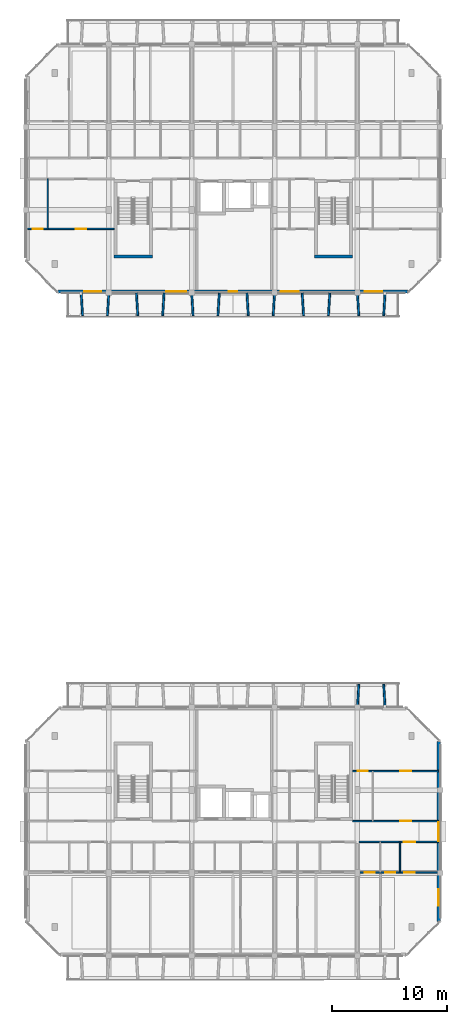
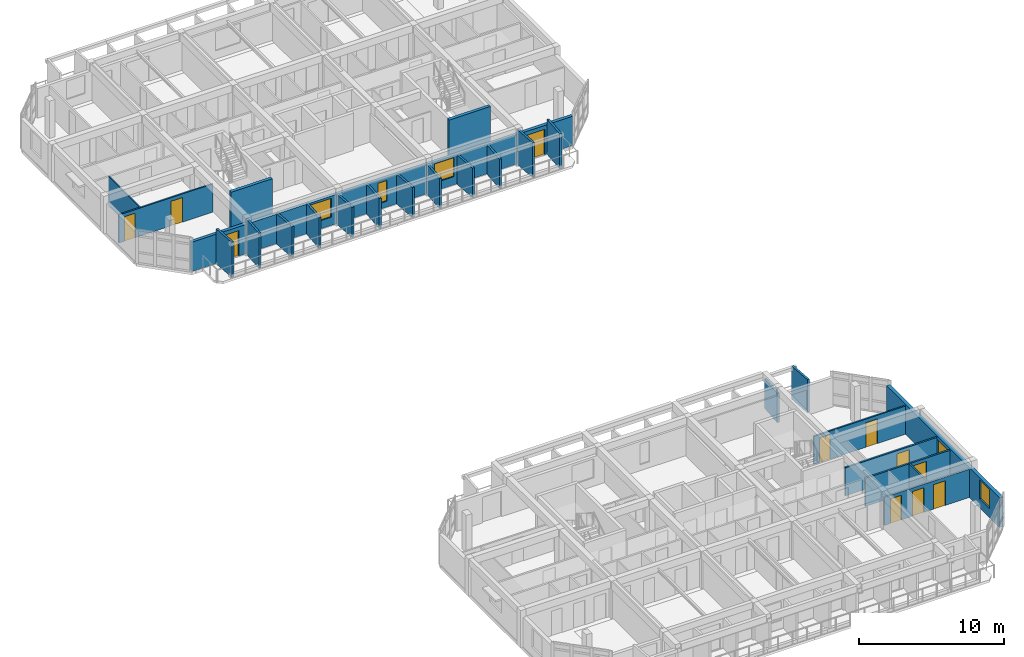
# One storey, part 11 of 22: 25 walls, 11 doors, 5 windows, 16 openings.
"""IFC4 building model written with IfcOpenShell, lengths in metres."""

from ifc_helpers import new_model, si_unit, direction, frame, frame_2d, origin, place, context, subcontext, project, spatial, rectangle, extrude, material, layer, layer_set, type_object, element, fill, save


model = new_model("IFC4")

# Units and contexts
model_context = context("Model", 3, precision=1e-05, world=origin(), true_north=direction((0.0, 1.0)))
body_context = subcontext(model_context, "Body", "Model", "MODEL_VIEW")
ifc_project = project(units=[si_unit("LENGTHUNIT", "METRE"), si_unit("AREAUNIT", "SQUARE_METRE"), si_unit("VOLUMEUNIT", "CUBIC_METRE"), si_unit("PLANEANGLEUNIT", "RADIAN"), si_unit("MASSUNIT", "GRAM", prefix="KILO")], contexts=[model_context])

# Site, building, storey
site_placement = place(None, origin())
site = spatial("IfcSite", under=ifc_project, at=site_placement, CompositionType="ELEMENT")
building_placement = place(site_placement, origin())
building = spatial("IfcBuilding", under=site, at=building_placement, Name="Ochrevale Crest", CompositionType="ELEMENT")
storey_placement = place(building_placement, frame((0.0, 0.0, 40.199951171875)))
storey = spatial("IfcBuildingStorey", under=building, at=storey_placement, Name="L12", CompositionType="ELEMENT", Elevation=40.199951171875)

# Wall, opening, door
ifc_material_1 = material(Name="Gypsum plasterboard", Category="gypsum")
ifc_layer_1 = layer(ifc_material_1, 0.139892578125)
ifc_layer_set_1 = layer_set([ifc_layer_1], Name="Gypsum plasterboard")
wall_type_1 = type_object("IfcWallType", Name="WL-COR-140", PredefinedType="PARTITIONING", material=ifc_layer_set_1)
wall_1_placement = place(storey_placement, frame((158.5400390625, 24.300048828125, 0.0), z_axis=(0.0, 0.0, 1.0), x_axis=(1.0, 0.0, 0.0)))
wall_1 = element("IfcWall", 1, at=wall_1_placement, inside=storey, type_object=wall_type_1, Name="Apartment C-L12-U5 corridor wall", PredefinedType="PARTITIONING", context=body_context, shape_type="SweptSolid", body=[
    extrude(rectangle(XDim=6.919921875, YDim=0.139892578125, at=frame_2d((3.4599609375, 0.0))), origin(), (0.0, 0.0, 1.0), 2.380126953125),
])
opening_1_placement = place(wall_1_placement, frame((3.89501953125, 0.0, 0.0)))
opening_1 = element("IfcOpeningElement", 2, at=opening_1_placement, cuts=wall_1, Name="Opening FD01", PredefinedType="OPENING", context=body_context, shape_type="SweptSolid", body=[
    extrude(rectangle(XDim=0.97998046875, YDim=2.10009765625, at=frame_2d((0.489990234375, 1.050048828125))), frame((0.0, 0.080078125, 0.0), z_axis=(0.0, -1.0, 0.0), x_axis=(1.0, 0.0, 0.0)), (0.0, 0.0, 1.0), 0.159912109375),
])
ifc_material_2 = material(Name="Solid-core FSC hardwood", Category="wood")
door_type_1 = type_object("IfcDoorType", Name="DR-APT-950", OperationType="NOTDEFINED", PredefinedType="DOOR", material=ifc_material_2)
door_1_placement = place(opening_1_placement, origin())
door_1 = element("IfcDoor", 3, at=door_1_placement, inside=storey, type_object=door_type_1, Name="Apartment C-L12-U5 entrance door", OperationType="SINGLE_SWING_LEFT", OverallHeight=2.10009765625, OverallWidth=0.97998046875, PredefinedType="DOOR", context=body_context, shape_type="SweptSolid", body=[
    extrude(rectangle(XDim=0.97998046875, YDim=2.10009765625, at=frame_2d((0.489990234375, 1.050048828125))), frame((0.0, 0.02490234375, 0.0), z_axis=(0.0, -1.0, 0.0), x_axis=(1.0, 0.0, 0.0)), (0.0, 0.0, 1.0), 0.050048828125),
])
fill(opening_1, door_1)

wall_2_placement = place(storey_placement, frame((157.989990234375, 26.10009765625, 0.0), z_axis=(0.0, 0.0, 1.0), x_axis=(1.0, 0.0, 0.0)))
wall_2 = element("IfcWall", 4, at=wall_2_placement, inside=storey, type_object=wall_type_1, Name="Suite C-L12-CE corridor wall", PredefinedType="PARTITIONING", context=body_context, shape_type="SweptSolid", body=[
    extrude(rectangle(XDim=7.469970703125, YDim=0.139892578125, at=frame_2d((3.73486328125, 0.0))), origin(), (0.0, 0.0, 1.0), 2.380126953125),
])
opening_2_placement = place(wall_2_placement, frame((4.1201171875, 0.0, 0.0)))
opening_2 = element("IfcOpeningElement", 5, at=opening_2_placement, cuts=wall_2, Name="Opening FD01", PredefinedType="OPENING", context=body_context, shape_type="SweptSolid", body=[
    extrude(rectangle(XDim=0.97998046875, YDim=2.10009765625, at=frame_2d((0.489990234375, 1.050048828125))), frame((0.0, 0.080078125, 0.0), z_axis=(0.0, -1.0, 0.0), x_axis=(1.0, 0.0, 0.0)), (0.0, 0.0, 1.0), 0.159912109375),
])
door_2_placement = place(opening_2_placement, origin())
door_2 = element("IfcDoor", 6, at=door_2_placement, inside=storey, type_object=door_type_1, Name="Suite C-L12-CE entrance door", OperationType="SINGLE_SWING_LEFT", OverallHeight=2.10009765625, OverallWidth=0.97998046875, PredefinedType="DOOR", context=body_context, shape_type="SweptSolid", body=[
    extrude(rectangle(XDim=0.97998046875, YDim=2.10009765625, at=frame_2d((0.489990234375, 1.050048828125))), frame((0.0, 0.02490234375, 0.0), z_axis=(0.0, -1.0, 0.0), x_axis=(1.0, 0.0, 0.0)), (0.0, 0.0, 1.0), 0.050048828125),
])
fill(opening_2, door_2)

# Walls
ifc_material_3 = material(Name="Precast concrete C50/60", Category="concrete")
ifc_layer_2 = layer(ifc_material_3, 0.2548828125)
ifc_layer_set_2 = layer_set([ifc_layer_2], Name="Precast concrete C50/60")
wall_type_2 = type_object("IfcWallType", Name="WL-CORE-255", PredefinedType="SHEAR", material=ifc_layer_set_2)
for number, where, z_axis, x_axis, name in (
    (7, (137.2724609375, 75.14990234375, 0.0), (0.0, 0.0, 1.0), (1.0, 0.0, 0.0), "Block D L12 Stair 1 precast core shear wall S"),
    (8, (154.672607421875, 75.14990234375, 0.0), (0.0, 0.0, 1.0), (1.0, 0.0, 0.0), "Block D L12 Stair 2 precast core shear wall S"),
):
    element("IfcWall", number, at=place(storey_placement, frame(where, z_axis=z_axis, x_axis=x_axis)), inside=storey, type_object=wall_type_2, Name=name, PredefinedType="SHEAR", context=body_context, shape_type="SweptSolid", body=[
        extrude(rectangle(XDim=3.304931640625, YDim=0.2548828125, at=frame_2d((1.65234375, 0.0))), origin(), (0.0, 0.0, 1.0), 3.150146484375),
    ])

# Wall, openings, windows
ifc_material_4 = material(Name="Clay face brickwork", Category="masonry")
ifc_layer_3 = layer(ifc_material_4, 0.2900390625)
ifc_layer_set_3 = layer_set([ifc_layer_3], Name="Clay face brickwork")
wall_type_3 = type_object("IfcWallType", Name="WL-EXT-BRICK-290", PredefinedType="SOLIDWALL", material=ifc_layer_set_3)
wall_3_placement = place(storey_placement, frame((165.455078125, 17.39990234375, 0.0), z_axis=(0.0, 0.0, 1.0), x_axis=(0.0, 1.0, 0.0)))
wall_3 = element("IfcWall", 9, at=wall_3_placement, inside=storey, type_object=wall_type_3, Name="Block C L12 external facade wall E3", PredefinedType="SOLIDWALL", context=body_context, shape_type="SweptSolid", body=[
    extrude(rectangle(XDim=15.60009765625, YDim=0.2900390625, at=frame_2d((7.800048828125, 0.0))), origin(), (0.0, 0.0, 1.0), 2.510009765625),
])
opening_3_placement = place(wall_3_placement, frame((6.97509765625, 0.0, 1.050048828125)))
opening_3 = element("IfcOpeningElement", 10, at=opening_3_placement, cuts=wall_3, Name="Opening W19", PredefinedType="OPENING", context=body_context, shape_type="SweptSolid", body=[
    extrude(rectangle(XDim=1.64990234375, YDim=1.14990234375, at=frame_2d((0.824951171875, 0.574951171875))), frame((0.0, 0.155029296875, 0.0), z_axis=(0.0, -1.0, 0.0), x_axis=(1.0, 0.0, 0.0)), (0.0, 0.0, 1.0), 0.31005859375),
])
opening_4_placement = place(wall_3_placement, frame((1.362548828125, 0.0, 0.75)))
opening_4 = element("IfcOpeningElement", 11, at=opening_4_placement, cuts=wall_3, Name="Opening W31", PredefinedType="OPENING", context=body_context, shape_type="SweptSolid", body=[
    extrude(rectangle(XDim=1.419921875, YDim=1.60009765625, at=frame_2d((0.7099609375, 0.800048828125))), frame((0.0, 0.155029296875, 0.0), z_axis=(0.0, -1.0, 0.0), x_axis=(1.0, 0.0, 0.0)), (0.0, 0.0, 1.0), 0.31005859375),
])
ifc_material_5 = material(Name="Anodised aluminium 6063-T5 and low-E double glazing", Category="aluminium")
window_type_1 = type_object("IfcWindowType", Name="WIN-W19", PartitioningType="SINGLE_PANEL", PredefinedType="WINDOW", material=ifc_material_5)
window_1_placement = place(opening_3_placement, origin())
window_1 = element("IfcWindow", 12, at=window_1_placement, inside=storey, type_object=window_type_1, Name="Block C L12 corridor end daylight window E", OverallHeight=1.14990234375, OverallWidth=1.64990234375, PartitioningType="SINGLE_PANEL", PredefinedType="WINDOW", context=body_context, shape_type="SweptSolid", body=[
    extrude(rectangle(XDim=1.64990234375, YDim=1.14990234375, at=frame_2d((0.824951171875, 0.574951171875))), frame((0.0, 0.030029296875, 0.0), z_axis=(0.0, -1.0, 0.0), x_axis=(1.0, 0.0, 0.0)), (0.0, 0.0, 1.0), 0.06005859375),
])
fill(opening_3, window_1)
window_type_2 = type_object("IfcWindowType", Name="WIN-W31", PartitioningType="SINGLE_PANEL", PredefinedType="WINDOW", material=ifc_material_5)
window_2_placement = place(opening_4_placement, origin())
window_2 = element("IfcWindow", 13, at=window_2_placement, inside=storey, type_object=window_type_2, Name="Block C L12 side suite window E", OverallHeight=1.60009765625, OverallWidth=1.419921875, PartitioningType="SINGLE_PANEL", PredefinedType="WINDOW", context=body_context, shape_type="SweptSolid", body=[
    extrude(rectangle(XDim=1.419921875, YDim=1.60009765625, at=frame_2d((0.7099609375, 0.800048828125))), frame((0.0, 0.030029296875, 0.0), z_axis=(0.0, -1.0, 0.0), x_axis=(1.0, 0.0, 0.0)), (0.0, 0.0, 1.0), 0.06005859375),
])
fill(opening_4, window_2)

# Wall, openings, doors, windows
ifc_material_6 = material(Name="Precast concrete C40/50", Category="concrete")
ifc_layer_4 = layer(ifc_material_6, 0.25)
ifc_layer_set_4 = layer_set([ifc_layer_4], Name="Precast concrete C40/50")
wall_type_4 = type_object("IfcWallType", Name="WL-EXT-GOLD-250", PredefinedType="SOLIDWALL", material=ifc_layer_set_4)
wall_4_placement = place(storey_placement, frame((132.39990234375, 72.125, 0.0), z_axis=(0.0, 0.0, 1.0), x_axis=(1.0, 0.0, 0.0)))
wall_4 = element("IfcWall", 14, at=wall_4_placement, inside=storey, type_object=wall_type_4, Name="Block D L12 external facade wall E1", PredefinedType="SOLIDWALL", context=body_context, shape_type="SweptSolid", body=[
    extrude(rectangle(XDim=30.400146484375, YDim=0.25, at=frame_2d((15.2001953125, 0.0))), origin(), (0.0, 0.0, 1.0), 2.47998046875),
])
opening_5_placement = place(wall_4_placement, frame((3.75, 0.0, 0.0), z_axis=(0.0, 0.0, 1.0), x_axis=(-1.0, 0.0, 0.0)))
opening_5 = element("IfcOpeningElement", 15, at=opening_5_placement, cuts=wall_4, Name="Opening BD01", PredefinedType="OPENING", context=body_context, shape_type="SweptSolid", body=[
    extrude(rectangle(XDim=1.5, YDim=2.14990234375, at=frame_2d((0.75, 1.074951171875))), frame((0.0, 0.135009765625, 0.0), z_axis=(0.0, -1.0, 0.0), x_axis=(1.0, 0.0, 0.0)), (0.0, 0.0, 1.0), 0.27001953125),
])
opening_6_placement = place(wall_4_placement, frame((28.14990234375, 0.0, 0.0), z_axis=(0.0, 0.0, 1.0), x_axis=(-1.0, 0.0, 0.0)))
opening_6 = element("IfcOpeningElement", 16, at=opening_6_placement, cuts=wall_4, Name="Opening BD01", PredefinedType="OPENING", context=body_context, shape_type="SweptSolid", body=[
    extrude(rectangle(XDim=1.5, YDim=2.14990234375, at=frame_2d((0.75, 1.074951171875))), frame((0.0, 0.135009765625, 0.0), z_axis=(0.0, -1.0, 0.0), x_axis=(1.0, 0.0, 0.0)), (0.0, 0.0, 1.0), 0.27001953125),
])
opening_7_placement = place(wall_4_placement, frame((14.824951171875, 0.0, 0.5)))
opening_7 = element("IfcOpeningElement", 17, at=opening_7_placement, cuts=wall_4, Name="Opening W16", PredefinedType="OPENING", context=body_context, shape_type="SweptSolid", body=[
    extrude(rectangle(XDim=0.75, YDim=1.75, at=frame_2d((0.375, 0.875))), frame((0.0, 0.135009765625, 0.0), z_axis=(0.0, -1.0, 0.0), x_axis=(1.0, 0.0, 0.0)), (0.0, 0.0, 1.0), 0.27001953125),
])
opening_8_placement = place(wall_4_placement, frame((19.342529296875, 0.0, 0.699951171875)))
opening_8 = element("IfcOpeningElement", 18, at=opening_8_placement, cuts=wall_4, Name="Opening W09", PredefinedType="OPENING", context=body_context, shape_type="SweptSolid", body=[
    extrude(rectangle(XDim=1.580078125, YDim=1.60009765625, at=frame_2d((0.7900390625, 0.800048828125))), frame((0.0, 0.135009765625, 0.0), z_axis=(0.0, -1.0, 0.0), x_axis=(1.0, 0.0, 0.0)), (0.0, 0.0, 1.0), 0.27001953125),
])
opening_9_placement = place(wall_4_placement, frame((9.407470703125, 0.0, 0.699951171875)))
opening_9 = element("IfcOpeningElement", 19, at=opening_9_placement, cuts=wall_4, Name="Opening W10", PredefinedType="OPENING", context=body_context, shape_type="SweptSolid", body=[
    extrude(rectangle(XDim=1.719970703125, YDim=1.60009765625, at=frame_2d((0.85986328125, 0.800048828125))), frame((0.0, 0.135009765625, 0.0), z_axis=(0.0, -1.0, 0.0), x_axis=(1.0, 0.0, 0.0)), (0.0, 0.0, 1.0), 0.27001953125),
])
ifc_material_7 = material(Name="Anodised aluminium 6063-T5 and toughened glass", Category="aluminium")
door_type_2 = type_object("IfcDoorType", Name="DR-BAL-1500", OperationType="NOTDEFINED", PredefinedType="DOOR", material=ifc_material_7)
door_3_placement = place(opening_5_placement, origin())
door_3 = element("IfcDoor", 20, at=door_3_placement, inside=storey, type_object=door_type_2, Name="Block D L12 balcony door S1", OperationType="SINGLE_SWING_LEFT", OverallHeight=2.14990234375, OverallWidth=1.5, PredefinedType="DOOR", context=body_context, shape_type="SweptSolid", body=[
    extrude(rectangle(XDim=1.5, YDim=2.14990234375, at=frame_2d((0.75, 1.074951171875))), frame((0.0, 0.02490234375, 0.0), z_axis=(0.0, -1.0, 0.0), x_axis=(1.0, 0.0, 0.0)), (0.0, 0.0, 1.0), 0.050048828125),
])
fill(opening_5, door_3)
door_4_placement = place(opening_6_placement, origin())
door_4 = element("IfcDoor", 21, at=door_4_placement, inside=storey, type_object=door_type_2, Name="Block D L12 balcony door S5", OperationType="SINGLE_SWING_RIGHT", OverallHeight=2.14990234375, OverallWidth=1.5, PredefinedType="DOOR", context=body_context, shape_type="SweptSolid", body=[
    extrude(rectangle(XDim=1.5, YDim=2.14990234375, at=frame_2d((0.75, 1.074951171875))), frame((0.0, 0.02490234375, 0.0), z_axis=(0.0, -1.0, 0.0), x_axis=(1.0, 0.0, 0.0)), (0.0, 0.0, 1.0), 0.050048828125),
])
fill(opening_6, door_4)
window_type_3 = type_object("IfcWindowType", Name="WIN-W09", PartitioningType="SINGLE_PANEL", PredefinedType="WINDOW", material=ifc_material_5)
window_3_placement = place(opening_8_placement, origin())
window_3 = element("IfcWindow", 22, at=window_3_placement, inside=storey, type_object=window_type_3, Name="Block D L12 Suite D-L12-ME Garden Alcove Studio window", OverallHeight=1.60009765625, OverallWidth=1.580078125, PartitioningType="SINGLE_PANEL", PredefinedType="WINDOW", context=body_context, shape_type="SweptSolid", body=[
    extrude(rectangle(XDim=1.580078125, YDim=1.60009765625, at=frame_2d((0.7900390625, 0.800048828125))), frame((0.0, 0.030029296875, 0.0), z_axis=(0.0, -1.0, 0.0), x_axis=(1.0, 0.0, 0.0)), (0.0, 0.0, 1.0), 0.06005859375),
])
fill(opening_8, window_3)
window_type_4 = type_object("IfcWindowType", Name="WIN-W10", PartitioningType="SINGLE_PANEL", PredefinedType="WINDOW", material=ifc_material_5)
window_4_placement = place(opening_9_placement, origin())
window_4 = element("IfcWindow", 23, at=window_4_placement, inside=storey, type_object=window_type_4, Name="Block D L12 Suite D-L12-MW Courtyard Studio Living window", OverallHeight=1.60009765625, OverallWidth=1.719970703125, PartitioningType="SINGLE_PANEL", PredefinedType="WINDOW", context=body_context, shape_type="SweptSolid", body=[
    extrude(rectangle(XDim=1.719970703125, YDim=1.60009765625, at=frame_2d((0.85986328125, 0.800048828125))), frame((0.0, 0.030029296875, 0.0), z_axis=(0.0, -1.0, 0.0), x_axis=(1.0, 0.0, 0.0)), (0.0, 0.0, 1.0), 0.06005859375),
])
fill(opening_9, window_4)
window_type_5 = type_object("IfcWindowType", Name="WIN-W16", PartitioningType="SINGLE_PANEL", PredefinedType="WINDOW", material=ifc_material_5)
window_5_placement = place(opening_7_placement, origin())
window_5 = element("IfcWindow", 24, at=window_5_placement, inside=storey, type_object=window_type_5, Name="Block D L12 core lancet window", OverallHeight=1.75, OverallWidth=0.75, PartitioningType="SINGLE_PANEL", PredefinedType="WINDOW", context=body_context, shape_type="SweptSolid", body=[
    extrude(rectangle(XDim=0.75, YDim=1.75, at=frame_2d((0.375, 0.875))), frame((0.0, 0.030029296875, 0.0), z_axis=(0.0, -1.0, 0.0), x_axis=(1.0, 0.0, 0.0)), (0.0, 0.0, 1.0), 0.06005859375),
])
fill(opening_7, window_5)

# Walls
ifc_layer_5 = layer(ifc_material_6, 0.1650390625)
ifc_layer_set_5 = layer_set([ifc_layer_5], Name="Precast concrete C40/50")
wall_type_5 = type_object("IfcWallType", Name="WL-HC-CHEEK-165", PredefinedType="ELEMENTEDWALL", material=ifc_layer_set_5)
wall_5_placement = place(storey_placement, frame((158.39990234375, 36.02001953125, 0.0), z_axis=(0.0, 0.0, 1.0), x_axis=(0.061170732449, 0.998127317276, 0.0)))
element("IfcWall", 25, at=wall_5_placement, inside=storey, type_object=wall_type_5, Name="Block C L12 N precast honeycomb cheek 11", PredefinedType="ELEMENTEDWALL", context=body_context, shape_type="SweptSolid", body=[
    extrude(rectangle(XDim=1.963623046875, YDim=0.1650390625, at=frame_2d((0.98193359375, 0.0))), origin(), (0.0, 0.0, 1.0), 2.47998046875),
])
wall_6_placement = place(storey_placement, frame((160.800048828125, 36.02001953125, 0.0), z_axis=(0.0, 0.0, 1.0), x_axis=(-0.061170732449, 0.998127317276, 0.0)))
element("IfcWall", 26, at=wall_6_placement, inside=storey, type_object=wall_type_5, Name="Block C L12 N precast honeycomb cheek 12", PredefinedType="ELEMENTEDWALL", context=body_context, shape_type="SweptSolid", body=[
    extrude(rectangle(XDim=1.963623046875, YDim=0.1650390625, at=frame_2d((0.98193359375, 0.0))), origin(), (0.0, 0.0, 1.0), 2.800048828125),
])
for number, where, z_axis, x_axis, name in (
    (27, (134.39990234375, 71.97998046875, 0.0), (0.0, 0.0, 1.0), (0.061170732449, -0.998127317276, 0.0), "Block D L12 S precast honeycomb cheek 1"),
    (28, (136.800048828125, 71.97998046875, 0.0), (0.0, 0.0, 1.0), (-0.061170732449, -0.998127317276, 0.0), "Block D L12 S precast honeycomb cheek 2"),
):
    element("IfcWall", number, at=place(storey_placement, frame(where, z_axis=z_axis, x_axis=x_axis)), inside=storey, type_object=wall_type_5, Name=name, PredefinedType="ELEMENTEDWALL", context=body_context, shape_type="SweptSolid", body=[
        extrude(rectangle(XDim=1.963623046875, YDim=0.1650390625, at=frame_2d((0.98193359375, 0.0))), origin(), (0.0, 0.0, 1.0), 2.949951171875),
    ])
for number, where, z_axis, x_axis, name in (
    (29, (139.199951171875, 71.97998046875, 0.0), (0.0, 0.0, 1.0), (0.061170732449, -0.998127317276, 0.0), "Block D L12 S precast honeycomb cheek 3"),
    (30, (141.60009765625, 71.97998046875, 0.0), (0.0, 0.0, 1.0), (-0.061170732449, -0.998127317276, 0.0), "Block D L12 S precast honeycomb cheek 4"),
):
    element("IfcWall", number, at=place(storey_placement, frame(where, z_axis=z_axis, x_axis=x_axis)), inside=storey, type_object=wall_type_5, Name=name, PredefinedType="ELEMENTEDWALL", context=body_context, shape_type="SweptSolid", body=[
        extrude(rectangle(XDim=1.963623046875, YDim=0.1650390625, at=frame_2d((0.98193359375, 0.0))), origin(), (0.0, 0.0, 1.0), 2.580078125),
    ])
for number, where, z_axis, x_axis, name in (
    (31, (144.0, 71.97998046875, 0.0), (0.0, 0.0, 1.0), (0.061170732449, -0.998127317276, 0.0), "Block D L12 S precast honeycomb cheek 5"),
    (32, (146.39990234375, 71.97998046875, 0.0), (0.0, 0.0, 1.0), (-0.061046865508, -0.998134900808, 0.0), "Block D L12 S precast honeycomb cheek 6"),
    (33, (148.800048828125, 71.97998046875, 0.0), (0.0, 0.0, 1.0), (0.061046865508, -0.998134900808, 0.0), "Block D L12 S precast honeycomb cheek 7"),
    (34, (151.199951171875, 71.97998046875, 0.0), (0.0, 0.0, 1.0), (-0.061046865508, -0.998134900808, 0.0), "Block D L12 S precast honeycomb cheek 8"),
):
    element("IfcWall", number, at=place(storey_placement, frame(where, z_axis=z_axis, x_axis=x_axis)), inside=storey, type_object=wall_type_5, Name=name, PredefinedType="ELEMENTEDWALL", context=body_context, shape_type="SweptSolid", body=[
        extrude(rectangle(XDim=1.963623046875, YDim=0.1650390625, at=frame_2d((0.98193359375, 0.0))), origin(), (0.0, 0.0, 1.0), 2.530029296875),
    ])
for number, where, z_axis, x_axis, name in (
    (35, (153.60009765625, 71.97998046875, 0.0), (0.0, 0.0, 1.0), (0.061046865508, -0.998134900808, 0.0), "Block D L12 S precast honeycomb cheek 9"),
    (36, (156.0, 71.97998046875, 0.0), (0.0, 0.0, 1.0), (-0.061170732449, -0.998127317276, 0.0), "Block D L12 S precast honeycomb cheek 10"),
):
    element("IfcWall", number, at=place(storey_placement, frame(where, z_axis=z_axis, x_axis=x_axis)), inside=storey, type_object=wall_type_5, Name=name, PredefinedType="ELEMENTEDWALL", context=body_context, shape_type="SweptSolid", body=[
        extrude(rectangle(XDim=1.963623046875, YDim=0.1650390625, at=frame_2d((0.98193359375, 0.0))), origin(), (0.0, 0.0, 1.0), 2.47998046875),
    ])
for number, where, z_axis, x_axis, name in (
    (37, (158.39990234375, 71.97998046875, 0.0), (0.0, 0.0, 1.0), (0.061170732449, -0.998127317276, 0.0), "Block D L12 S precast honeycomb cheek 11"),
    (38, (160.800048828125, 71.97998046875, 0.0), (0.0, 0.0, 1.0), (-0.061170732449, -0.998127317276, 0.0), "Block D L12 S precast honeycomb cheek 12"),
):
    element("IfcWall", number, at=place(storey_placement, frame(where, z_axis=z_axis, x_axis=x_axis)), inside=storey, type_object=wall_type_5, Name=name, PredefinedType="ELEMENTEDWALL", context=body_context, shape_type="SweptSolid", body=[
        extrude(rectangle(XDim=1.963623046875, YDim=0.1650390625, at=frame_2d((0.98193359375, 0.0))), origin(), (0.0, 0.0, 1.0), 2.949951171875),
    ])
ifc_layer_6 = layer(ifc_material_1, 0.1201171875)
ifc_layer_set_6 = layer_set([ifc_layer_6], Name="Gypsum plasterboard")
wall_type_6 = type_object("IfcWallType", Name="WL-PART-120", PredefinedType="PARTITIONING", material=ifc_layer_set_6)
wall_7_placement = place(storey_placement, frame((162.10009765625, 21.64990234375, 0.0), z_axis=(0.0, 0.0, 1.0), x_axis=(0.0, 1.0, 0.0)))
element("IfcWall", 39, at=wall_7_placement, inside=storey, type_object=wall_type_6, Name="Apartment C-L12-U5 kitchen-foyer wall", PredefinedType="PARTITIONING", context=body_context, shape_type="SweptSolid", body=[
    extrude(rectangle(XDim=2.650146484375, YDim=0.1201171875, at=frame_2d((1.3251953125, 0.0))), origin(), (0.0, 0.0, 1.0), 2.380126953125),
])

# Wall, openings, doors
wall_8_placement = place(storey_placement, frame((158.5400390625, 21.64990234375, 0.0), z_axis=(0.0, 0.0, 1.0), x_axis=(1.0, 0.0, 0.0)))
wall_8 = element("IfcWall", 40, at=wall_8_placement, inside=storey, type_object=wall_type_6, Name="Apartment C-L12-U5 central partition", PredefinedType="PARTITIONING", context=body_context, shape_type="SweptSolid", body=[
    extrude(rectangle(XDim=6.919921875, YDim=0.1201171875, at=frame_2d((3.4599609375, 0.0))), origin(), (0.0, 0.0, 1.0), 2.380126953125),
])
opening_10_placement = place(wall_8_placement, frame((1.35009765625, 0.0, 0.0), z_axis=(0.0, 0.0, 1.0), x_axis=(-1.0, 0.0, 0.0)))
opening_10 = element("IfcOpeningElement", 41, at=opening_10_placement, cuts=wall_8, Name="Opening ID01", PredefinedType="OPENING", context=body_context, shape_type="SweptSolid", body=[
    extrude(rectangle(XDim=0.85009765625, YDim=2.080078125, at=frame_2d((0.425048828125, 1.0400390625))), frame((0.0, 0.070068359375, 0.0), z_axis=(0.0, -1.0, 0.0), x_axis=(1.0, 0.0, 0.0)), (0.0, 0.0, 1.0), 0.14013671875),
])
opening_11_placement = place(wall_8_placement, frame((2.2548828125, 0.0, 0.0)))
opening_11 = element("IfcOpeningElement", 42, at=opening_11_placement, cuts=wall_8, Name="Opening ID02", PredefinedType="OPENING", context=body_context, shape_type="SweptSolid", body=[
    extrude(rectangle(XDim=0.89990234375, YDim=2.080078125, at=frame_2d((0.449951171875, 1.0400390625))), frame((0.0, 0.070068359375, 0.0), z_axis=(0.0, -1.0, 0.0), x_axis=(1.0, 0.0, 0.0)), (0.0, 0.0, 1.0), 0.14013671875),
])
opening_12_placement = place(wall_8_placement, frame((4.85986328125, 0.0, 0.0), z_axis=(0.0, 0.0, 1.0), x_axis=(-1.0, 0.0, 0.0)))
opening_12 = element("IfcOpeningElement", 43, at=opening_12_placement, cuts=wall_8, Name="Opening ID06", PredefinedType="OPENING", context=body_context, shape_type="SweptSolid", body=[
    extrude(rectangle(XDim=0.949951171875, YDim=2.080078125, at=frame_2d((0.47509765625, 1.0400390625))), frame((0.0, 0.070068359375, 0.0), z_axis=(0.0, -1.0, 0.0), x_axis=(1.0, 0.0, 0.0)), (0.0, 0.0, 1.0), 0.14013671875),
])
door_type_3 = type_object("IfcDoorType", Name="DR-INT-900", OperationType="NOTDEFINED", PredefinedType="DOOR", material=ifc_material_2)
door_5_placement = place(opening_11_placement, origin())
door_5 = element("IfcDoor", 44, at=door_5_placement, inside=storey, type_object=door_type_3, Name="Apartment C-L12-U5 Kitchen door", OperationType="SINGLE_SWING_LEFT", OverallHeight=2.080078125, OverallWidth=0.89990234375, PredefinedType="DOOR", context=body_context, shape_type="SweptSolid", body=[
    extrude(rectangle(XDim=0.89990234375, YDim=2.080078125, at=frame_2d((0.449951171875, 1.0400390625))), frame((0.0, 0.02490234375, 0.0), z_axis=(0.0, -1.0, 0.0), x_axis=(1.0, 0.0, 0.0)), (0.0, 0.0, 1.0), 0.050048828125),
])
fill(opening_11, door_5)
door_type_4 = type_object("IfcDoorType", Name="DR-INT-950", OperationType="NOTDEFINED", PredefinedType="DOOR", material=ifc_material_2)
door_6_placement = place(opening_12_placement, origin())
door_6 = element("IfcDoor", 45, at=door_6_placement, inside=storey, type_object=door_type_4, Name="Apartment C-L12-U5 Living Foyer door", OperationType="SINGLE_SWING_RIGHT", OverallHeight=2.080078125, OverallWidth=0.949951171875, PredefinedType="DOOR", context=body_context, shape_type="SweptSolid", body=[
    extrude(rectangle(XDim=0.949951171875, YDim=2.080078125, at=frame_2d((0.47509765625, 1.0400390625))), frame((0.0, 0.02490234375, 0.0), z_axis=(0.0, -1.0, 0.0), x_axis=(1.0, 0.0, 0.0)), (0.0, 0.0, 1.0), 0.050048828125),
])
fill(opening_12, door_6)
door_type_5 = type_object("IfcDoorType", Name="DR-WC-850", OperationType="NOTDEFINED", PredefinedType="DOOR", material=ifc_material_2)
door_7_placement = place(opening_10_placement, origin())
door_7 = element("IfcDoor", 46, at=door_7_placement, inside=storey, type_object=door_type_5, Name="Apartment C-L12-U5 Bathroom door", OperationType="SINGLE_SWING_RIGHT", OverallHeight=2.080078125, OverallWidth=0.85009765625, PredefinedType="DOOR", context=body_context, shape_type="SweptSolid", body=[
    extrude(rectangle(XDim=0.85009765625, YDim=2.080078125, at=frame_2d((0.425048828125, 1.0400390625))), frame((0.0, 0.02490234375, 0.0), z_axis=(0.0, -1.0, 0.0), x_axis=(1.0, 0.0, 0.0)), (0.0, 0.0, 1.0), 0.050048828125),
])
fill(opening_10, door_7)

wall_9_placement = place(storey_placement, frame((157.989990234375, 30.449951171875, 0.0), z_axis=(0.0, 0.0, 1.0), x_axis=(1.0, 0.0, 0.0)))
wall_9 = element("IfcWall", 47, at=wall_9_placement, inside=storey, type_object=wall_type_6, Name="Suite C-L12-CE internal wall", PredefinedType="PARTITIONING", context=body_context, shape_type="SweptSolid", body=[
    extrude(rectangle(XDim=7.469970703125, YDim=0.1201171875, at=frame_2d((3.73486328125, 0.0))), origin(), (0.0, 0.0, 1.0), 2.380126953125),
])
opening_13_placement = place(wall_9_placement, frame((1.300048828125, 0.0, 0.0), z_axis=(0.0, 0.0, 1.0), x_axis=(-1.0, 0.0, 0.0)))
opening_13 = element("IfcOpeningElement", 48, at=opening_13_placement, cuts=wall_9, Name="Opening ID01", PredefinedType="OPENING", context=body_context, shape_type="SweptSolid", body=[
    extrude(rectangle(XDim=0.85009765625, YDim=2.080078125, at=frame_2d((0.425048828125, 1.0400390625))), frame((0.0, 0.070068359375, 0.0), z_axis=(0.0, -1.0, 0.0), x_axis=(1.0, 0.0, 0.0)), (0.0, 0.0, 1.0), 0.14013671875),
])
opening_14_placement = place(wall_9_placement, frame((4.14990234375, 0.0, 0.0)))
opening_14 = element("IfcOpeningElement", 49, at=opening_14_placement, cuts=wall_9, Name="Opening ID04", PredefinedType="OPENING", context=body_context, shape_type="SweptSolid", body=[
    extrude(rectangle(XDim=0.919921875, YDim=2.080078125, at=frame_2d((0.4599609375, 1.0400390625))), frame((0.0, 0.070068359375, 0.0), z_axis=(0.0, -1.0, 0.0), x_axis=(1.0, 0.0, 0.0)), (0.0, 0.0, 1.0), 0.14013671875),
])
door_type_6 = type_object("IfcDoorType", Name="DR-INT-920", OperationType="NOTDEFINED", PredefinedType="DOOR", material=ifc_material_2)
door_8_placement = place(opening_14_placement, origin())
door_8 = element("IfcDoor", 50, at=door_8_placement, inside=storey, type_object=door_type_6, Name="Suite C-L12-CE Master Bedroom door", OperationType="SINGLE_SWING_LEFT", OverallHeight=2.080078125, OverallWidth=0.919921875, PredefinedType="DOOR", context=body_context, shape_type="SweptSolid", body=[
    extrude(rectangle(XDim=0.919921875, YDim=2.080078125, at=frame_2d((0.4599609375, 1.0400390625))), frame((0.0, 0.02490234375, 0.0), z_axis=(0.0, -1.0, 0.0), x_axis=(1.0, 0.0, 0.0)), (0.0, 0.0, 1.0), 0.050048828125),
])
fill(opening_14, door_8)
door_9_placement = place(opening_13_placement, origin())
door_9 = element("IfcDoor", 51, at=door_9_placement, inside=storey, type_object=door_type_5, Name="Suite C-L12-CE Bathroom door", OperationType="SINGLE_SWING_RIGHT", OverallHeight=2.080078125, OverallWidth=0.85009765625, PredefinedType="DOOR", context=body_context, shape_type="SweptSolid", body=[
    extrude(rectangle(XDim=0.85009765625, YDim=2.080078125, at=frame_2d((0.425048828125, 1.0400390625))), frame((0.0, 0.02490234375, 0.0), z_axis=(0.0, -1.0, 0.0), x_axis=(1.0, 0.0, 0.0)), (0.0, 0.0, 1.0), 0.050048828125),
])
fill(opening_13, door_9)

wall_10_placement = place(storey_placement, frame((129.739990234375, 77.550048828125, 0.0), z_axis=(0.0, 0.0, 1.0), x_axis=(1.0, 0.0, 0.0)))
wall_10 = element("IfcWall", 52, at=wall_10_placement, inside=storey, type_object=wall_type_6, Name="Suite D-L12-CW internal wall", PredefinedType="PARTITIONING", context=body_context, shape_type="SweptSolid", body=[
    extrude(rectangle(XDim=7.52001953125, YDim=0.1201171875, at=frame_2d((3.760009765625, 0.0))), origin(), (0.0, 0.0, 1.0), 2.380126953125),
])
opening_15_placement = place(wall_10_placement, frame((0.449951171875, 0.0, 0.0)))
opening_15 = element("IfcOpeningElement", 53, at=opening_15_placement, cuts=wall_10, Name="Opening ID01", PredefinedType="OPENING", context=body_context, shape_type="SweptSolid", body=[
    extrude(rectangle(XDim=0.85009765625, YDim=2.080078125, at=frame_2d((0.425048828125, 1.0400390625))), frame((0.0, 0.070068359375, 0.0), z_axis=(0.0, -1.0, 0.0), x_axis=(1.0, 0.0, 0.0)), (0.0, 0.0, 1.0), 0.14013671875),
])
opening_16_placement = place(wall_10_placement, frame((5.094970703125, 0.0, 0.0), z_axis=(0.0, 0.0, 1.0), x_axis=(-1.0, 0.0, 0.0)))
opening_16 = element("IfcOpeningElement", 54, at=opening_16_placement, cuts=wall_10, Name="Opening ID04", PredefinedType="OPENING", context=body_context, shape_type="SweptSolid", body=[
    extrude(rectangle(XDim=0.919921875, YDim=2.080078125, at=frame_2d((0.4599609375, 1.0400390625))), frame((0.0, 0.070068359375, 0.0), z_axis=(0.0, -1.0, 0.0), x_axis=(1.0, 0.0, 0.0)), (0.0, 0.0, 1.0), 0.14013671875),
])
door_10_placement = place(opening_16_placement, origin())
door_10 = element("IfcDoor", 55, at=door_10_placement, inside=storey, type_object=door_type_6, Name="Suite D-L12-CW Quiet Reading Room door", OperationType="SINGLE_SWING_RIGHT", OverallHeight=2.080078125, OverallWidth=0.919921875, PredefinedType="DOOR", context=body_context, shape_type="SweptSolid", body=[
    extrude(rectangle(XDim=0.919921875, YDim=2.080078125, at=frame_2d((0.4599609375, 1.0400390625))), frame((0.0, 0.02490234375, 0.0), z_axis=(0.0, -1.0, 0.0), x_axis=(1.0, 0.0, 0.0)), (0.0, 0.0, 1.0), 0.050048828125),
])
fill(opening_16, door_10)
door_11_placement = place(opening_15_placement, origin())
door_11 = element("IfcDoor", 56, at=door_11_placement, inside=storey, type_object=door_type_5, Name="Suite D-L12-CW Bathroom door", OperationType="SINGLE_SWING_LEFT", OverallHeight=2.080078125, OverallWidth=0.85009765625, PredefinedType="DOOR", context=body_context, shape_type="SweptSolid", body=[
    extrude(rectangle(XDim=0.85009765625, YDim=2.080078125, at=frame_2d((0.425048828125, 1.0400390625))), frame((0.0, 0.02490234375, 0.0), z_axis=(0.0, -1.0, 0.0), x_axis=(1.0, 0.0, 0.0)), (0.0, 0.0, 1.0), 0.050048828125),
])
fill(opening_15, door_11)

# Wall
ifc_layer_7 = layer(ifc_material_1, 0.10009765625)
ifc_layer_set_7 = layer_set([ifc_layer_7], Name="Gypsum plasterboard")
wall_type_7 = type_object("IfcWallType", Name="WL-WET-100", PredefinedType="PARTITIONING", material=ifc_layer_set_7)
wall_11_placement = place(storey_placement, frame((131.489990234375, 77.550048828125, 0.0), z_axis=(0.0, 0.0, 1.0), x_axis=(0.0, 1.0, 0.0)))
element("IfcWall", 57, at=wall_11_placement, inside=storey, type_object=wall_type_7, Name="Suite D-L12-CW bathroom divider", PredefinedType="PARTITIONING", context=body_context, shape_type="SweptSolid", body=[
    extrude(rectangle(XDim=4.349853515625, YDim=0.10009765625, at=frame_2d((2.1748046875, 0.0))), origin(), (0.0, 0.0, 1.0), 2.380126953125),
])

save(model, "model.ifc")
